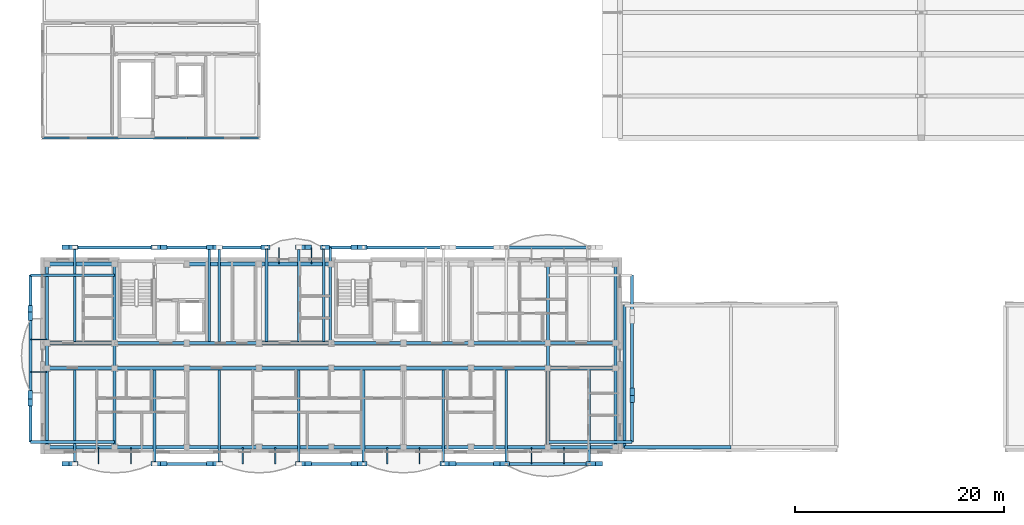
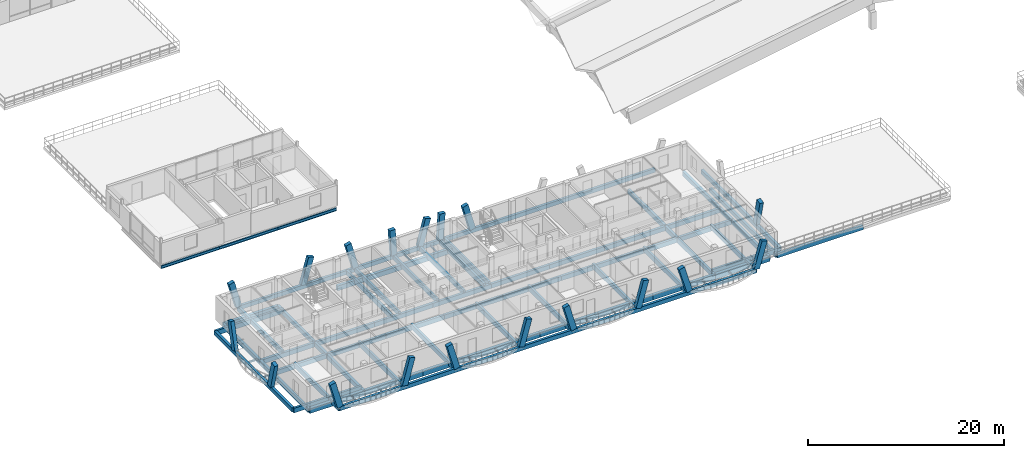
# One storey, part 13 of 109: 78 beams, 18 members.
"""IFC4 building model written with IfcOpenShell, lengths in metres."""

from ifc_helpers import new_model, si_unit, direction, frame, origin, origin_2d, place, context, subcontext, project, spatial, rectangle, i_section, extrude, material, material_profile, profile_set, type_object, element, save


model = new_model("IFC4")

# Units and contexts
model_context = context("Model", 3, precision=1e-05, world=origin(), true_north=direction((0.0, 1.0)))
body_context = subcontext(model_context, "Body", "Model", "MODEL_VIEW")
ifc_project = project(units=[si_unit("LENGTHUNIT", "METRE"), si_unit("AREAUNIT", "SQUARE_METRE"), si_unit("VOLUMEUNIT", "CUBIC_METRE"), si_unit("PLANEANGLEUNIT", "RADIAN"), si_unit("MASSUNIT", "GRAM", prefix="KILO")], contexts=[model_context])

# Site, building, storey
site_placement = place(None, origin())
site = spatial("IfcSite", under=ifc_project, at=site_placement, CompositionType="ELEMENT")
building_placement = place(site_placement, origin())
building = spatial("IfcBuilding", under=site, at=building_placement, Name="Zavelmont Quarter", CompositionType="ELEMENT")
storey_placement = place(building_placement, frame((0.0, 0.0, 8.0)))
storey = spatial("IfcBuildingStorey", under=building, at=storey_placement, Name="L02", CompositionType="ELEMENT", Elevation=8.0)

# Beams
ifc_material_1 = material(Name="Concrete C35/45", Category="concrete")
ifc_material_profile_1 = material_profile(ifc_material_1, rectangle(XDim=0.35009765625, YDim=0.60009765625, at=origin_2d()), Name="RC350X600")
ifc_profile_set_1 = profile_set([ifc_material_profile_1], Name="Concrete C35/45")
beam_type_1 = type_object("IfcBeamType", Name="BM01", PredefinedType="SPANDREL", material=ifc_profile_set_1)
beam_1_placement = place(storey_placement, frame((0.43994140625, 0.43994140625, -0.570068359375), z_axis=(1.0, 0.0, 0.0), x_axis=(0.0, 1.0, 0.0)))
element("IfcBeam", 1, at=beam_1_placement, inside=storey, type_object=beam_type_1, Name="L02 beam BM01 1/A to 2/A", PredefinedType="SPANDREL", context=body_context, shape_type="SweptSolid", body=[
    extrude(rectangle(XDim=0.35009765625, YDim=0.60009765625, at=origin_2d()), origin(), (0.0, 0.0, 1.0), 6.4599609375),
])
beam_2_placement = place(storey_placement, frame((6.89990234375, 0.43994140625, -0.570068359375), z_axis=(1.0, 0.0, 0.0), x_axis=(0.0, 1.0, 0.0)))
element("IfcBeam", 2, at=beam_2_placement, inside=storey, type_object=beam_type_1, Name="L02 beam BM01 2/A to 3/A", PredefinedType="SPANDREL", context=body_context, shape_type="SweptSolid", body=[
    extrude(rectangle(XDim=0.35009765625, YDim=0.60009765625, at=origin_2d()), origin(), (0.0, 0.0, 1.0), 6.900146484375),
])
beam_3_placement = place(storey_placement, frame((13.800048828125, 0.43994140625, -0.570068359375), z_axis=(1.0, 0.0, 0.0), x_axis=(0.0, 1.0, 0.0)))
element("IfcBeam", 3, at=beam_3_placement, inside=storey, type_object=beam_type_1, Name="L02 beam BM01 3/A to 4/A", PredefinedType="SPANDREL", context=body_context, shape_type="SweptSolid", body=[
    extrude(rectangle(XDim=0.35009765625, YDim=0.60009765625, at=origin_2d()), origin(), (0.0, 0.0, 1.0), 6.89990234375),
])
beam_4_placement = place(storey_placement, frame((20.699951171875, 0.43994140625, -0.570068359375), z_axis=(1.0, 0.0, 0.0), x_axis=(0.0, 1.0, 0.0)))
element("IfcBeam", 4, at=beam_4_placement, inside=storey, type_object=beam_type_1, Name="L02 beam BM01 4/A to 5/A", PredefinedType="SPANDREL", context=body_context, shape_type="SweptSolid", body=[
    extrude(rectangle(XDim=0.35009765625, YDim=0.60009765625, at=origin_2d()), origin(), (0.0, 0.0, 1.0), 6.900146484375),
])
beam_5_placement = place(storey_placement, frame((27.60009765625, 0.43994140625, -0.570068359375), z_axis=(1.0, 0.0, 0.0), x_axis=(0.0, 1.0, 0.0)))
element("IfcBeam", 5, at=beam_5_placement, inside=storey, type_object=beam_type_1, Name="L02 beam BM01 5/A to 6/A", PredefinedType="SPANDREL", context=body_context, shape_type="SweptSolid", body=[
    extrude(rectangle(XDim=0.35009765625, YDim=0.60009765625, at=origin_2d()), origin(), (0.0, 0.0, 1.0), 6.89990234375),
])
beam_6_placement = place(storey_placement, frame((34.5, 0.43994140625, -0.570068359375), z_axis=(1.0, 0.0, 0.0), x_axis=(0.0, 1.0, 0.0)))
element("IfcBeam", 6, at=beam_6_placement, inside=storey, type_object=beam_type_1, Name="L02 beam BM01 6/A to 7/A", PredefinedType="SPANDREL", context=body_context, shape_type="SweptSolid", body=[
    extrude(rectangle(XDim=0.35009765625, YDim=0.60009765625, at=origin_2d()), origin(), (0.0, 0.0, 1.0), 6.4599609375),
])
beam_7_placement = place(storey_placement, frame((40.9599609375, 0.43994140625, -0.570068359375), z_axis=(1.0, 0.0, 0.0), x_axis=(0.0, 1.0, 0.0)))
element("IfcBeam", 7, at=beam_7_placement, inside=storey, type_object=beam_type_1, Name="L02 beam BM01 7/A to 8/A", PredefinedType="SPANDREL", context=body_context, shape_type="SweptSolid", body=[
    extrude(rectangle(XDim=0.35009765625, YDim=0.60009765625, at=origin_2d()), origin(), (0.0, 0.0, 1.0), 7.340087890625),
])
for number, where, z_axis, x_axis, name in (
    (8, (48.300048828125, 0.43994140625, -0.570068359375), (1.0, 0.0, 0.0), (0.0, 1.0, 0.0), "L02 beam BM01 8/A to 9/A"),
    (9, (0.43994140625, 17.9599609375, -0.570068359375), (1.0, 0.0, 0.0), (0.0, 1.0, 0.0), "L02 beam BM01 1/D to 2/D"),
):
    element("IfcBeam", number, at=place(storey_placement, frame(where, z_axis=z_axis, x_axis=x_axis)), inside=storey, type_object=beam_type_1, Name=name, PredefinedType="SPANDREL", context=body_context, shape_type="SweptSolid", body=[
        extrude(rectangle(XDim=0.35009765625, YDim=0.60009765625, at=origin_2d()), origin(), (0.0, 0.0, 1.0), 6.4599609375),
    ])
beam_8_placement = place(storey_placement, frame((13.800048828125, 17.9599609375, -0.570068359375), z_axis=(1.0, 0.0, 0.0), x_axis=(0.0, 1.0, 0.0)))
element("IfcBeam", 10, at=beam_8_placement, inside=storey, type_object=beam_type_1, Name="L02 beam BM01 3/D to 4/D", PredefinedType="SPANDREL", context=body_context, shape_type="SweptSolid", body=[
    extrude(rectangle(XDim=0.35009765625, YDim=0.60009765625, at=origin_2d()), origin(), (0.0, 0.0, 1.0), 6.89990234375),
])
beam_9_placement = place(storey_placement, frame((20.699951171875, 17.9599609375, -0.570068359375), z_axis=(1.0, 0.0, 0.0), x_axis=(0.0, 1.0, 0.0)))
element("IfcBeam", 11, at=beam_9_placement, inside=storey, type_object=beam_type_1, Name="L02 beam BM01 4/D to 5/D", PredefinedType="SPANDREL", context=body_context, shape_type="SweptSolid", body=[
    extrude(rectangle(XDim=0.35009765625, YDim=0.60009765625, at=origin_2d()), origin(), (0.0, 0.0, 1.0), 6.900146484375),
])
ifc_material_profile_2 = material_profile(ifc_material_1, rectangle(XDim=0.300048828125, YDim=0.550048828125, at=origin_2d()), Name="RC300X550")
ifc_profile_set_2 = profile_set([ifc_material_profile_2], Name="Concrete C35/45")
beam_type_2 = type_object("IfcBeamType", Name="BM02", PredefinedType="SPANDREL", material=ifc_profile_set_2)
beam_10_placement = place(storey_placement, frame((0.43994140625, 8.0, -0.544921875), z_axis=(1.0, 0.0, 0.0), x_axis=(0.0, 1.0, 0.0)))
element("IfcBeam", 12, at=beam_10_placement, inside=storey, type_object=beam_type_2, Name="L02 beam BM02 1/B to 2/B", PredefinedType="SPANDREL", context=body_context, shape_type="SweptSolid", body=[
    extrude(rectangle(XDim=0.300048828125, YDim=0.550048828125, at=origin_2d()), origin(), (0.0, 0.0, 1.0), 6.4599609375),
])
beam_11_placement = place(storey_placement, frame((6.89990234375, 8.0, -0.544921875), z_axis=(1.0, 0.0, 0.0), x_axis=(0.0, 1.0, 0.0)))
element("IfcBeam", 13, at=beam_11_placement, inside=storey, type_object=beam_type_2, Name="L02 beam BM02 2/B to 3/B", PredefinedType="SPANDREL", context=body_context, shape_type="SweptSolid", body=[
    extrude(rectangle(XDim=0.300048828125, YDim=0.550048828125, at=origin_2d()), origin(), (0.0, 0.0, 1.0), 6.900146484375),
])
beam_12_placement = place(storey_placement, frame((13.800048828125, 8.0, -0.544921875), z_axis=(1.0, 0.0, 0.0), x_axis=(0.0, 1.0, 0.0)))
element("IfcBeam", 14, at=beam_12_placement, inside=storey, type_object=beam_type_2, Name="L02 beam BM02 3/B to 4/B", PredefinedType="SPANDREL", context=body_context, shape_type="SweptSolid", body=[
    extrude(rectangle(XDim=0.300048828125, YDim=0.550048828125, at=origin_2d()), origin(), (0.0, 0.0, 1.0), 6.89990234375),
])
beam_13_placement = place(storey_placement, frame((20.699951171875, 8.0, -0.544921875), z_axis=(1.0, 0.0, 0.0), x_axis=(0.0, 1.0, 0.0)))
element("IfcBeam", 15, at=beam_13_placement, inside=storey, type_object=beam_type_2, Name="L02 beam BM02 4/B to 5/B", PredefinedType="SPANDREL", context=body_context, shape_type="SweptSolid", body=[
    extrude(rectangle(XDim=0.300048828125, YDim=0.550048828125, at=origin_2d()), origin(), (0.0, 0.0, 1.0), 6.900146484375),
])
beam_14_placement = place(storey_placement, frame((27.60009765625, 8.0, -0.544921875), z_axis=(1.0, 0.0, 0.0), x_axis=(0.0, 1.0, 0.0)))
element("IfcBeam", 16, at=beam_14_placement, inside=storey, type_object=beam_type_2, Name="L02 beam BM02 5/B to 6/B", PredefinedType="SPANDREL", context=body_context, shape_type="SweptSolid", body=[
    extrude(rectangle(XDim=0.300048828125, YDim=0.550048828125, at=origin_2d()), origin(), (0.0, 0.0, 1.0), 6.89990234375),
])
beam_15_placement = place(storey_placement, frame((34.5, 8.0, -0.544921875), z_axis=(1.0, 0.0, 0.0), x_axis=(0.0, 1.0, 0.0)))
element("IfcBeam", 17, at=beam_15_placement, inside=storey, type_object=beam_type_2, Name="L02 beam BM02 6/B to 7/B", PredefinedType="SPANDREL", context=body_context, shape_type="SweptSolid", body=[
    extrude(rectangle(XDim=0.300048828125, YDim=0.550048828125, at=origin_2d()), origin(), (0.0, 0.0, 1.0), 6.4599609375),
])
beam_16_placement = place(storey_placement, frame((40.9599609375, 8.0, -0.544921875), z_axis=(1.0, 0.0, 0.0), x_axis=(0.0, 1.0, 0.0)))
element("IfcBeam", 18, at=beam_16_placement, inside=storey, type_object=beam_type_2, Name="L02 beam BM02 7/B to 8/B", PredefinedType="SPANDREL", context=body_context, shape_type="SweptSolid", body=[
    extrude(rectangle(XDim=0.300048828125, YDim=0.550048828125, at=origin_2d()), origin(), (0.0, 0.0, 1.0), 7.340087890625),
])
for number, where, z_axis, x_axis, name in (
    (19, (48.300048828125, 8.0, -0.544921875), (1.0, 0.0, 0.0), (0.0, 1.0, 0.0), "L02 beam BM02 8/B to 9/B"),
    (20, (0.43994140625, 10.39990234375, -0.544921875), (1.0, 0.0, 0.0), (0.0, 1.0, 0.0), "L02 beam BM02 1/C to 2/C"),
):
    element("IfcBeam", number, at=place(storey_placement, frame(where, z_axis=z_axis, x_axis=x_axis)), inside=storey, type_object=beam_type_2, Name=name, PredefinedType="SPANDREL", context=body_context, shape_type="SweptSolid", body=[
        extrude(rectangle(XDim=0.300048828125, YDim=0.550048828125, at=origin_2d()), origin(), (0.0, 0.0, 1.0), 6.4599609375),
    ])
beam_17_placement = place(storey_placement, frame((6.89990234375, 10.39990234375, -0.544921875), z_axis=(1.0, 0.0, 0.0), x_axis=(0.0, 1.0, 0.0)))
element("IfcBeam", 21, at=beam_17_placement, inside=storey, type_object=beam_type_2, Name="L02 beam BM02 2/C to 3/C", PredefinedType="SPANDREL", context=body_context, shape_type="SweptSolid", body=[
    extrude(rectangle(XDim=0.300048828125, YDim=0.550048828125, at=origin_2d()), origin(), (0.0, 0.0, 1.0), 6.900146484375),
])
beam_18_placement = place(storey_placement, frame((13.800048828125, 10.39990234375, -0.544921875), z_axis=(1.0, 0.0, 0.0), x_axis=(0.0, 1.0, 0.0)))
element("IfcBeam", 22, at=beam_18_placement, inside=storey, type_object=beam_type_2, Name="L02 beam BM02 3/C to 4/C", PredefinedType="SPANDREL", context=body_context, shape_type="SweptSolid", body=[
    extrude(rectangle(XDim=0.300048828125, YDim=0.550048828125, at=origin_2d()), origin(), (0.0, 0.0, 1.0), 6.89990234375),
])
beam_19_placement = place(storey_placement, frame((20.699951171875, 10.39990234375, -0.544921875), z_axis=(1.0, 0.0, 0.0), x_axis=(0.0, 1.0, 0.0)))
element("IfcBeam", 23, at=beam_19_placement, inside=storey, type_object=beam_type_2, Name="L02 beam BM02 4/C to 5/C", PredefinedType="SPANDREL", context=body_context, shape_type="SweptSolid", body=[
    extrude(rectangle(XDim=0.300048828125, YDim=0.550048828125, at=origin_2d()), origin(), (0.0, 0.0, 1.0), 6.900146484375),
])
beam_20_placement = place(storey_placement, frame((27.60009765625, 10.39990234375, -0.544921875), z_axis=(1.0, 0.0, 0.0), x_axis=(0.0, 1.0, 0.0)))
element("IfcBeam", 24, at=beam_20_placement, inside=storey, type_object=beam_type_2, Name="L02 beam BM02 5/C to 6/C", PredefinedType="SPANDREL", context=body_context, shape_type="SweptSolid", body=[
    extrude(rectangle(XDim=0.300048828125, YDim=0.550048828125, at=origin_2d()), origin(), (0.0, 0.0, 1.0), 6.89990234375),
])
beam_21_placement = place(storey_placement, frame((34.5, 10.39990234375, -0.544921875), z_axis=(1.0, 0.0, 0.0), x_axis=(0.0, 1.0, 0.0)))
element("IfcBeam", 25, at=beam_21_placement, inside=storey, type_object=beam_type_2, Name="L02 beam BM02 6/C to 7/C", PredefinedType="SPANDREL", context=body_context, shape_type="SweptSolid", body=[
    extrude(rectangle(XDim=0.300048828125, YDim=0.550048828125, at=origin_2d()), origin(), (0.0, 0.0, 1.0), 6.4599609375),
])
beam_22_placement = place(storey_placement, frame((40.9599609375, 10.39990234375, -0.544921875), z_axis=(1.0, 0.0, 0.0), x_axis=(0.0, 1.0, 0.0)))
element("IfcBeam", 26, at=beam_22_placement, inside=storey, type_object=beam_type_2, Name="L02 beam BM02 7/C to 8/C", PredefinedType="SPANDREL", context=body_context, shape_type="SweptSolid", body=[
    extrude(rectangle(XDim=0.300048828125, YDim=0.550048828125, at=origin_2d()), origin(), (0.0, 0.0, 1.0), 7.340087890625),
])
beam_23_placement = place(storey_placement, frame((48.300048828125, 10.39990234375, -0.544921875), z_axis=(1.0, 0.0, 0.0), x_axis=(0.0, 1.0, 0.0)))
element("IfcBeam", 27, at=beam_23_placement, inside=storey, type_object=beam_type_2, Name="L02 beam BM02 8/C to 9/C", PredefinedType="SPANDREL", context=body_context, shape_type="SweptSolid", body=[
    extrude(rectangle(XDim=0.300048828125, YDim=0.550048828125, at=origin_2d()), origin(), (0.0, 0.0, 1.0), 6.4599609375),
])
beam_24_placement = place(storey_placement, frame((0.43994140625, 0.43994140625, -0.544921875), z_axis=(0.0, 1.0, 0.0), x_axis=(-1.0, 0.0, 0.0)))
element("IfcBeam", 28, at=beam_24_placement, inside=storey, type_object=beam_type_2, Name="L02 beam BM02 1/A to 1/B", PredefinedType="SPANDREL", context=body_context, shape_type="SweptSolid", body=[
    extrude(rectangle(XDim=0.300048828125, YDim=0.550048828125, at=origin_2d()), origin(), (0.0, 0.0, 1.0), 7.56005859375),
])
beam_25_placement = place(storey_placement, frame((0.43994140625, 8.0, -0.544921875), z_axis=(0.0, 1.0, 0.0), x_axis=(-1.0, 0.0, 0.0)))
element("IfcBeam", 29, at=beam_25_placement, inside=storey, type_object=beam_type_2, Name="L02 beam BM02 1/B to 1/C", PredefinedType="SPANDREL", context=body_context, shape_type="SweptSolid", body=[
    extrude(rectangle(XDim=0.300048828125, YDim=0.550048828125, at=origin_2d()), origin(), (0.0, 0.0, 1.0), 2.39990234375),
])
for number, where, z_axis, x_axis, name in (
    (30, (0.43994140625, 10.39990234375, -0.544921875), (0.0, 1.0, 0.0), (-1.0, 0.0, 0.0), "L02 beam BM02 1/C to 1/D"),
    (31, (6.89990234375, 0.43994140625, -0.544921875), (0.0, 1.0, 0.0), (-1.0, 0.0, 0.0), "L02 beam BM02 2/A to 2/B"),
):
    element("IfcBeam", number, at=place(storey_placement, frame(where, z_axis=z_axis, x_axis=x_axis)), inside=storey, type_object=beam_type_2, Name=name, PredefinedType="SPANDREL", context=body_context, shape_type="SweptSolid", body=[
        extrude(rectangle(XDim=0.300048828125, YDim=0.550048828125, at=origin_2d()), origin(), (0.0, 0.0, 1.0), 7.56005859375),
    ])
beam_26_placement = place(storey_placement, frame((6.89990234375, 8.0, -0.544921875), z_axis=(0.0, 1.0, 0.0), x_axis=(-1.0, 0.0, 0.0)))
element("IfcBeam", 32, at=beam_26_placement, inside=storey, type_object=beam_type_2, Name="L02 beam BM02 2/B to 2/C", PredefinedType="SPANDREL", context=body_context, shape_type="SweptSolid", body=[
    extrude(rectangle(XDim=0.300048828125, YDim=0.550048828125, at=origin_2d()), origin(), (0.0, 0.0, 1.0), 2.39990234375),
])
for number, where, z_axis, x_axis, name in (
    (33, (6.89990234375, 10.39990234375, -0.544921875), (0.0, 1.0, 0.0), (-1.0, 0.0, 0.0), "L02 beam BM02 2/C to 2/D"),
    (34, (48.300048828125, 0.43994140625, -0.544921875), (0.0, 1.0, 0.0), (-1.0, 0.0, 0.0), "L02 beam BM02 8/A to 8/B"),
):
    element("IfcBeam", number, at=place(storey_placement, frame(where, z_axis=z_axis, x_axis=x_axis)), inside=storey, type_object=beam_type_2, Name=name, PredefinedType="SPANDREL", context=body_context, shape_type="SweptSolid", body=[
        extrude(rectangle(XDim=0.300048828125, YDim=0.550048828125, at=origin_2d()), origin(), (0.0, 0.0, 1.0), 7.56005859375),
    ])
beam_27_placement = place(storey_placement, frame((48.300048828125, 8.0, -0.544921875), z_axis=(0.0, 1.0, 0.0), x_axis=(-1.0, 0.0, 0.0)))
element("IfcBeam", 35, at=beam_27_placement, inside=storey, type_object=beam_type_2, Name="L02 beam BM02 8/B to 8/C", PredefinedType="SPANDREL", context=body_context, shape_type="SweptSolid", body=[
    extrude(rectangle(XDim=0.300048828125, YDim=0.550048828125, at=origin_2d()), origin(), (0.0, 0.0, 1.0), 2.39990234375),
])
for number, where, z_axis, x_axis, name in (
    (36, (48.300048828125, 10.39990234375, -0.544921875), (0.0, 1.0, 0.0), (-1.0, 0.0, 0.0), "L02 beam BM02 8/C to 8/D"),
    (37, (54.760009765625, 0.43994140625, -0.544921875), (0.0, 1.0, 0.0), (-1.0, 0.0, 0.0), "L02 beam BM02 9/A to 9/B"),
):
    element("IfcBeam", number, at=place(storey_placement, frame(where, z_axis=z_axis, x_axis=x_axis)), inside=storey, type_object=beam_type_2, Name=name, PredefinedType="SPANDREL", context=body_context, shape_type="SweptSolid", body=[
        extrude(rectangle(XDim=0.300048828125, YDim=0.550048828125, at=origin_2d()), origin(), (0.0, 0.0, 1.0), 7.56005859375),
    ])
beam_28_placement = place(storey_placement, frame((54.760009765625, 8.0, -0.544921875), z_axis=(0.0, 1.0, 0.0), x_axis=(-1.0, 0.0, 0.0)))
element("IfcBeam", 38, at=beam_28_placement, inside=storey, type_object=beam_type_2, Name="L02 beam BM02 9/B to 9/C", PredefinedType="SPANDREL", context=body_context, shape_type="SweptSolid", body=[
    extrude(rectangle(XDim=0.300048828125, YDim=0.550048828125, at=origin_2d()), origin(), (0.0, 0.0, 1.0), 2.39990234375),
])
beam_29_placement = place(storey_placement, frame((54.760009765625, 10.39990234375, -0.544921875), z_axis=(0.0, 1.0, 0.0), x_axis=(-1.0, 0.0, 0.0)))
element("IfcBeam", 39, at=beam_29_placement, inside=storey, type_object=beam_type_2, Name="L02 beam BM02 9/C to 9/D", PredefinedType="SPANDREL", context=body_context, shape_type="SweptSolid", body=[
    extrude(rectangle(XDim=0.300048828125, YDim=0.550048828125, at=origin_2d()), origin(), (0.0, 0.0, 1.0), 7.56005859375),
])
ifc_material_profile_3 = material_profile(ifc_material_1, rectangle(XDim=0.300048828125, YDim=0.5, at=origin_2d()), Name="RC300X500")
ifc_profile_set_3 = profile_set([ifc_material_profile_3], Name="Concrete C35/45")
beam_type_3 = type_object("IfcBeamType", Name="BM03", PredefinedType="BEAM", material=ifc_profile_set_3)
beam_30_placement = place(storey_placement, frame((55.639892578125, 0.43994140625, -0.5400390625), z_axis=(1.0, 0.0, 0.0), x_axis=(0.0, 1.0, 0.0)))
element("IfcBeam", 40, at=beam_30_placement, inside=storey, type_object=beam_type_3, Name="L02 beam BM03 9/A to 10/A", PredefinedType="BEAM", context=body_context, shape_type="SweptSolid", body=[
    extrude(rectangle(XDim=0.300048828125, YDim=0.5, at=origin_2d()), origin(), (0.0, 0.0, 1.0), 10.16015625),
])
beam_31_placement = place(storey_placement, frame((55.639892578125, 0.43994140625, -0.5400390625), z_axis=(0.0, 1.0, 0.0), x_axis=(-1.0, 0.0, 0.0)))
element("IfcBeam", 41, at=beam_31_placement, inside=storey, type_object=beam_type_3, Name="L02 beam BM03 9/A to 9/C", PredefinedType="BEAM", context=body_context, shape_type="SweptSolid", body=[
    extrude(rectangle(XDim=0.300048828125, YDim=0.5, at=origin_2d()), origin(), (0.0, 0.0, 1.0), 13.56005859375),
])
for number, where, z_axis, x_axis, name in (
    (42, (3.0859375, -1.14990234375, -0.25), (1.0, 0.0, 0.0), (0.0, 1.0, 0.0), "L02 beam BM03 1/A to 9/A"),
    (43, (3.0859375, 19.550048828125, -0.25), (1.0, 0.0, 0.0), (0.0, 1.0, 0.0), "L02 beam BM03 1/D to 9/D"),
):
    element("IfcBeam", number, at=place(storey_placement, frame(where, z_axis=z_axis, x_axis=x_axis)), inside=storey, type_object=beam_type_3, Name=name, PredefinedType="BEAM", context=body_context, shape_type="SweptSolid", body=[
        extrude(rectangle(XDim=0.300048828125, YDim=0.5, at=origin_2d()), origin(), (0.0, 0.0, 1.0), 49.172119140625),
    ])
for number, where, z_axis, x_axis, name in (
    (44, (-1.14990234375, 0.949951171875, -0.25), (0.0, 1.0, 0.0), (-1.0, 0.0, 0.0), "L02 beam BM03 1/A to 1/D"),
    (45, (56.35009765625, 0.949951171875, -0.25), (0.0, 1.0, 0.0), (-1.0, 0.0, 0.0), "L02 beam BM03 9/A to 9/D"),
):
    element("IfcBeam", number, at=place(storey_placement, frame(where, z_axis=z_axis, x_axis=x_axis)), inside=storey, type_object=beam_type_3, Name=name, PredefinedType="BEAM", context=body_context, shape_type="SweptSolid", body=[
        extrude(rectangle(XDim=0.300048828125, YDim=0.5, at=origin_2d()), origin(), (0.0, 0.0, 1.0), 15.949951171875),
    ])
ifc_material_2 = material(Name="Steel S355", Category="steel")
ifc_material_profile_4 = material_profile(ifc_material_2, i_section(OverallWidth=0.169921875, OverallDepth=0.360107421875, WebThickness=0.008056640625, FlangeThickness=0.0126953125, at=origin_2d()), Name="IPE 360")
ifc_profile_set_4 = profile_set([ifc_material_profile_4], Name="Steel S355")
beam_type_4 = type_object("IfcBeamType", Name="BM13", PredefinedType="BEAM", material=ifc_profile_set_4)
beam_32_placement = place(storey_placement, frame((0.0, 30.0, -0.449951171875), z_axis=(1.0, 0.0, 0.0), x_axis=(0.0, 1.0, 0.0)))
element("IfcBeam", 46, at=beam_32_placement, inside=storey, type_object=beam_type_4, Name="L02 beam BM13 1/F to 2/F", PredefinedType="BEAM", context=body_context, shape_type="SweptSolid", body=[
    extrude(i_section(OverallWidth=0.169921875, OverallDepth=0.360107421875, WebThickness=0.008056640625, FlangeThickness=0.0126953125, at=origin_2d()), origin(), (0.0, 0.0, 1.0), 6.89990234375),
])
beam_33_placement = place(storey_placement, frame((6.89990234375, 30.0, -0.449951171875), z_axis=(1.0, 0.0, 0.0), x_axis=(0.0, 1.0, 0.0)))
element("IfcBeam", 47, at=beam_33_placement, inside=storey, type_object=beam_type_4, Name="L02 beam BM13 2/F to 3/F", PredefinedType="BEAM", context=body_context, shape_type="SweptSolid", body=[
    extrude(i_section(OverallWidth=0.169921875, OverallDepth=0.360107421875, WebThickness=0.008056640625, FlangeThickness=0.0126953125, at=origin_2d()), origin(), (0.0, 0.0, 1.0), 6.900146484375),
])
beam_34_placement = place(storey_placement, frame((13.800048828125, 30.0, -0.449951171875), z_axis=(1.0, 0.0, 0.0), x_axis=(0.0, 1.0, 0.0)))
element("IfcBeam", 48, at=beam_34_placement, inside=storey, type_object=beam_type_4, Name="L02 beam BM13 3/F to 4/F", PredefinedType="BEAM", context=body_context, shape_type="SweptSolid", body=[
    extrude(i_section(OverallWidth=0.169921875, OverallDepth=0.360107421875, WebThickness=0.008056640625, FlangeThickness=0.0126953125, at=origin_2d()), origin(), (0.0, 0.0, 1.0), 6.89990234375),
])
ifc_material_profile_5 = material_profile(ifc_material_2, i_section(OverallWidth=0.110107421875, OverallDepth=0.219970703125, WebThickness=0.005859375, FlangeThickness=0.00927734375, at=origin_2d()), Name="IPE 220")
ifc_profile_set_5 = profile_set([ifc_material_profile_5], Name="Steel S355")
beam_type_5 = type_object("IfcBeamType", Name="BM15", PredefinedType="JOIST", material=ifc_profile_set_5)
for number, where, z_axis, x_axis, name in (
    (49, (5.35009765625, 0.43994140625, -0.382080078125), (0.0, -1.0, 0.0), (1.0, 0.0, 0.0), "L02 beam BM15 2/A to 2/A"),
    (50, (8.449951171875, 0.43994140625, -0.382080078125), (0.0, -1.0, 0.0), (1.0, 0.0, 0.0), "L02 beam BM15 2/A to 2/A"),
    (51, (19.14990234375, 0.43994140625, -0.382080078125), (0.0, -1.0, 0.0), (1.0, 0.0, 0.0), "L02 beam BM15 4/A to 4/A"),
    (52, (22.25, 0.43994140625, -0.382080078125), (0.0, -1.0, 0.0), (1.0, 0.0, 0.0), "L02 beam BM15 4/A to 4/A"),
    (53, (32.949951171875, 0.43994140625, -0.382080078125), (0.0, -1.0, 0.0), (1.0, 0.0, 0.0), "L02 beam BM15 6/A to 6/A"),
    (54, (36.050048828125, 0.43994140625, -0.382080078125), (0.0, -1.0, 0.0), (1.0, 0.0, 0.0), "L02 beam BM15 6/A to 6/A"),
    (55, (46.75, 0.43994140625, -0.382080078125), (0.0, -1.0, 0.0), (1.0, 0.0, 0.0), "L02 beam BM15 8/A to 8/A"),
    (56, (49.85009765625, 0.43994140625, -0.382080078125), (0.0, -1.0, 0.0), (1.0, 0.0, 0.0), "L02 beam BM15 8/A to 8/A"),
    (57, (0.43994140625, 7.64990234375, -0.382080078125), (-1.0, 0.0, 0.0), (0.0, -1.0, 0.0), "L02 beam BM15 1/B to 1/B"),
    (58, (0.43994140625, 10.75, -0.382080078125), (-1.0, 0.0, 0.0), (0.0, -1.0, 0.0), "L02 beam BM15 1/C to 1/C"),
):
    element("IfcBeam", number, at=place(storey_placement, frame(where, z_axis=z_axis, x_axis=x_axis)), inside=storey, type_object=beam_type_5, Name=name, PredefinedType="JOIST", context=body_context, shape_type="SweptSolid", body=[
        extrude(i_section(OverallWidth=0.110107421875, OverallDepth=0.219970703125, WebThickness=0.005859375, FlangeThickness=0.00927734375, at=origin_2d()), origin(), (0.0, 0.0, 1.0), 1.58984375),
    ])
for number, where, z_axis, x_axis, name in (
    (59, (22.60009765625, 17.9599609375, -0.382080078125), (0.0, 1.0, 0.0), (-1.0, 0.0, 0.0), "L02 beam BM15 4/D to 4/D"),
    (60, (25.699951171875, 17.9599609375, -0.382080078125), (0.0, 1.0, 0.0), (-1.0, 0.0, 0.0), "L02 beam BM15 5/D to 5/D"),
):
    element("IfcBeam", number, at=place(storey_placement, frame(where, z_axis=z_axis, x_axis=x_axis)), inside=storey, type_object=beam_type_5, Name=name, PredefinedType="JOIST", context=body_context, shape_type="SweptSolid", body=[
        extrude(i_section(OverallWidth=0.110107421875, OverallDepth=0.219970703125, WebThickness=0.005859375, FlangeThickness=0.00927734375, at=origin_2d()), origin(), (0.0, 0.0, 1.0), 1.590087890625),
    ])
ifc_material_3 = material(Name="Concrete C40/50", Category="concrete")
ifc_material_profile_6 = material_profile(ifc_material_3, rectangle(XDim=0.25, YDim=0.60009765625, at=origin_2d()), Name="RC250X600")
ifc_profile_set_6 = profile_set([ifc_material_profile_6], Name="Concrete C40/50")
beam_type_6 = type_object("IfcBeamType", Name="BM18", PredefinedType="BEAM", material=ifc_profile_set_6)
for number, where, z_axis, x_axis, name in (
    (61, (3.085693359375, 8.0, -0.300048828125), (0.0, -1.0, 0.0), (1.0, 0.0, 0.0), "L02 beam BM18 1/B to 1/A"),
    (62, (10.714111328125, 8.0, -0.300048828125), (0.0, -1.0, 0.0), (1.0, 0.0, 0.0), "L02 beam BM18 3/B to 3/A"),
    (63, (16.8857421875, 8.0, -0.300048828125), (0.0, -1.0, 0.0), (1.0, 0.0, 0.0), "L02 beam BM18 3/B to 3/A"),
    (64, (24.51416015625, 8.0, -0.300048828125), (0.0, -1.0, 0.0), (1.0, 0.0, 0.0), "L02 beam BM18 5/B to 5/A"),
    (65, (30.685791015625, 8.0, -0.300048828125), (0.0, -1.0, 0.0), (1.0, 0.0, 0.0), "L02 beam BM18 5/B to 5/A"),
    (66, (38.314208984375, 8.0, -0.300048828125), (0.0, -1.0, 0.0), (1.0, 0.0, 0.0), "L02 beam BM18 7/B to 7/A"),
    (67, (44.341552734375, 8.0, -0.300048828125), (0.0, -1.0, 0.0), (1.0, 0.0, 0.0), "L02 beam BM18 7/B to 7/A"),
    (68, (52.258544921875, 8.0, -0.300048828125), (0.0, -1.0, 0.0), (1.0, 0.0, 0.0), "L02 beam BM18 9/B to 9/A"),
):
    element("IfcBeam", number, at=place(storey_placement, frame(where, z_axis=z_axis, x_axis=x_axis)), inside=storey, type_object=beam_type_6, Name=name, PredefinedType="BEAM", context=body_context, shape_type="SweptSolid", body=[
        extrude(rectangle(XDim=0.25, YDim=0.60009765625, at=origin_2d()), origin(), (0.0, 0.0, 1.0), 9.14990234375),
    ])
for number, where, z_axis, x_axis, name in (
    (69, (3.085693359375, 10.39990234375, -0.300048828125), (0.0, 1.0, 0.0), (-1.0, 0.0, 0.0), "L02 beam BM18 1/C to 1/D"),
    (70, (15.925048828125, 10.39990234375, -0.300048828125), (0.0, 1.0, 0.0), (-1.0, 0.0, 0.0), "L02 beam BM18 3/C to 3/D"),
    (71, (16.8857421875, 10.39990234375, -0.300048828125), (0.0, 1.0, 0.0), (-1.0, 0.0, 0.0), "L02 beam BM18 3/C to 3/D"),
    (72, (24.51416015625, 10.39990234375, -0.300048828125), (0.0, 1.0, 0.0), (-1.0, 0.0, 0.0), "L02 beam BM18 5/C to 5/D"),
    (73, (27.5, 10.39990234375, -0.300048828125), (0.0, 1.0, 0.0), (-1.0, 0.0, 0.0), "L02 beam BM18 5/C to 5/D"),
    (74, (21.4111328125, 10.39990234375, -0.300048828125), (0.0, 1.0, 0.0), (-1.0, 0.0, 0.0), "L02 beam BM18 4/C to 4/D"),
    (75, (26.888916015625, 10.39990234375, -0.300048828125), (0.0, 1.0, 0.0), (-1.0, 0.0, 0.0), "L02 beam BM18 5/C to 5/D"),
):
    element("IfcBeam", number, at=place(storey_placement, frame(where, z_axis=z_axis, x_axis=x_axis)), inside=storey, type_object=beam_type_6, Name=name, PredefinedType="BEAM", context=body_context, shape_type="SweptSolid", body=[
        extrude(rectangle(XDim=0.25, YDim=0.60009765625, at=origin_2d()), origin(), (0.0, 0.0, 1.0), 9.150146484375),
    ])
for number, where, z_axis, x_axis, name in (
    (76, (6.89990234375, 0.949951171875, -0.300048828125), (-1.0, 0.0, 0.0), (0.0, -1.0, 0.0), "L02 beam BM18 2/A to 1/A"),
    (77, (6.89990234375, 16.89990234375, -0.300048828125), (-1.0, 0.0, 0.0), (0.0, -1.0, 0.0), "L02 beam BM18 2/D to 1/D"),
):
    element("IfcBeam", number, at=place(storey_placement, frame(where, z_axis=z_axis, x_axis=x_axis)), inside=storey, type_object=beam_type_6, Name=name, PredefinedType="BEAM", context=body_context, shape_type="SweptSolid", body=[
        extrude(rectangle(XDim=0.25, YDim=0.60009765625, at=origin_2d()), origin(), (0.0, 0.0, 1.0), 8.0498046875),
    ])
beam_35_placement = place(storey_placement, frame((48.300048828125, 0.949951171875, -0.300048828125), z_axis=(1.0, 0.0, 0.0), x_axis=(0.0, 1.0, 0.0)))
element("IfcBeam", 78, at=beam_35_placement, inside=storey, type_object=beam_type_6, Name="L02 beam BM18 8/A to 9/A", PredefinedType="BEAM", context=body_context, shape_type="SweptSolid", body=[
    extrude(rectangle(XDim=0.25, YDim=0.60009765625, at=origin_2d()), origin(), (0.0, 0.0, 1.0), 8.050048828125),
])

# Members
ifc_material_4 = material(Name="White architectural precast concrete C40/50", Category="concrete")
ifc_material_profile_7 = material_profile(ifc_material_4, rectangle(XDim=0.43994140625, YDim=0.659912109375, at=origin_2d()), Name="PCR320X480")
ifc_profile_set_7 = profile_set([ifc_material_profile_7], Name="White architectural precast concrete C40/50")
member_type = type_object("IfcMemberType", Name="VR01M", PredefinedType="CHORD", material=ifc_profile_set_7)
for number, where, z_axis, x_axis, name in (
    (79, (3.085693359375, -1.14990234375, 0.0), (-0.265947852247, 0.0, 0.963987416871), (0.0, -1.0, 0.0), "L02 member VR01M 1/A to 1/A"),
    (80, (10.714111328125, -1.14990234375, 0.0), (0.266016195879, 0.0, 0.96396855941), (0.0, 1.0, 0.0), "L02 member VR01M 3/A to 3/A"),
    (81, (16.8857421875, -1.14990234375, 0.0), (-0.265947852247, 0.0, 0.963987416871), (0.0, -1.0, 0.0), "L02 member VR01M 3/A to 3/A"),
    (82, (24.51416015625, -1.14990234375, 0.0), (0.266016195879, 0.0, 0.96396855941), (0.0, 1.0, 0.0), "L02 member VR01M 5/A to 5/A"),
    (83, (30.685791015625, -1.14990234375, 0.0), (-0.265947852247, 0.0, 0.963987416871), (0.0, -1.0, 0.0), "L02 member VR01M 5/A to 5/A"),
    (84, (38.314208984375, -1.14990234375, 0.0), (0.265947852247, 0.0, 0.963987416871), (0.0, 1.0, 0.0), "L02 member VR01M 7/A to 7/A"),
):
    element("IfcMember", number, at=place(storey_placement, frame(where, z_axis=z_axis, x_axis=x_axis)), inside=storey, type_object=member_type, Name=name, PredefinedType="CHORD", context=body_context, shape_type="SweptSolid", body=[
        extrude(rectangle(XDim=0.43994140625, YDim=0.659912109375, at=origin_2d()), origin(), (0.0, 0.0, 1.0), 3.319580078125),
    ])
for number, where, z_axis, x_axis, name in (
    (85, (44.341552734375, -1.14990234375, 0.0), (-0.280143430311, 0.0, 0.959958154533), (0.0, -1.0, 0.0), "L02 member VR01M 7/A to 7/A"),
    (86, (52.258544921875, -1.14990234375, 0.0), (0.280143430311, 0.0, 0.959958154533), (0.0, 1.0, 0.0), "L02 member VR01M 9/A to 9/A"),
):
    element("IfcMember", number, at=place(storey_placement, frame(where, z_axis=z_axis, x_axis=x_axis)), inside=storey, type_object=member_type, Name=name, PredefinedType="CHORD", context=body_context, shape_type="SweptSolid", body=[
        extrude(rectangle(XDim=0.43994140625, YDim=0.659912109375, at=origin_2d()), origin(), (0.0, 0.0, 1.0), 3.33349609375),
    ])
for number, where, z_axis, x_axis, name in (
    (87, (3.085693359375, 19.550048828125, 0.0), (-0.265947852247, 0.0, 0.963987416871), (0.0, -1.0, 0.0), "L02 member VR01M 1/D to 1/D"),
    (88, (10.714111328125, 19.550048828125, 0.0), (0.266016195879, 0.0, 0.96396855941), (0.0, 1.0, 0.0), "L02 member VR01M 3/D to 3/D"),
    (89, (16.8857421875, 19.550048828125, 0.0), (-0.265947852247, 0.0, 0.963987416871), (0.0, -1.0, 0.0), "L02 member VR01M 3/D to 3/D"),
    (90, (24.51416015625, 19.550048828125, 0.0), (0.266016195879, 0.0, 0.96396855941), (0.0, 1.0, 0.0), "L02 member VR01M 5/D to 5/D"),
    (91, (30.685791015625, 19.550048828125, 0.0), (-0.265947852247, 0.0, 0.963987416871), (0.0, -1.0, 0.0), "L02 member VR01M 5/D to 5/D"),
):
    element("IfcMember", number, at=place(storey_placement, frame(where, z_axis=z_axis, x_axis=x_axis)), inside=storey, type_object=member_type, Name=name, PredefinedType="CHORD", context=body_context, shape_type="SweptSolid", body=[
        extrude(rectangle(XDim=0.43994140625, YDim=0.659912109375, at=origin_2d()), origin(), (0.0, 0.0, 1.0), 3.319580078125),
    ])
for number, where, z_axis, x_axis, name in (
    (92, (21.4111328125, 19.550048828125, 0.0), (-0.065852020368, 0.0, 0.997829399954), (0.0, -1.0, 0.0), "L02 member VR01M 4/D to 4/D"),
    (93, (26.888916015625, 19.550048828125, 0.0), (0.065852020368, 0.0, 0.997829399954), (0.0, 1.0, 0.0), "L02 member VR01M 5/D to 5/D"),
):
    element("IfcMember", number, at=place(storey_placement, frame(where, z_axis=z_axis, x_axis=x_axis)), inside=storey, type_object=member_type, Name=name, PredefinedType="CHORD", context=body_context, shape_type="SweptSolid", body=[
        extrude(rectangle(XDim=0.43994140625, YDim=0.659912109375, at=origin_2d()), origin(), (0.0, 0.0, 1.0), 3.20703125),
    ])
member_1_placement = place(storey_placement, frame((-1.14990234375, 5.543701171875, 0.0), z_axis=(0.0, -0.250123763796, 0.96821387244), x_axis=(1.0, 0.0, 0.0)))
element("IfcMember", 94, at=member_1_placement, inside=storey, type_object=member_type, Name="L02 member VR01M 1/B to 1/B", PredefinedType="CHORD", context=body_context, shape_type="SweptSolid", body=[
    extrude(rectangle(XDim=0.43994140625, YDim=0.659912109375, at=origin_2d()), origin(), (0.0, 0.0, 1.0), 3.304931640625),
])
member_2_placement = place(storey_placement, frame((-1.14990234375, 12.856201171875, 0.0), z_axis=(0.0, 0.250193010414, 0.968195980956), x_axis=(-1.0, 0.0, 0.0)))
element("IfcMember", 95, at=member_2_placement, inside=storey, type_object=member_type, Name="L02 member VR01M 1/C to 1/C", PredefinedType="CHORD", context=body_context, shape_type="SweptSolid", body=[
    extrude(rectangle(XDim=0.43994140625, YDim=0.659912109375, at=origin_2d()), origin(), (0.0, 0.0, 1.0), 3.30517578125),
])
member_3_placement = place(storey_placement, frame((56.35009765625, 5.7880859375, 0.0), z_axis=(0.0, -0.225022379858, 0.974353595243), x_axis=(1.0, 0.0, 0.0)))
element("IfcMember", 96, at=member_3_placement, inside=storey, type_object=member_type, Name="L02 member VR01M 9/B to 9/B", PredefinedType="CHORD", context=body_context, shape_type="SweptSolid", body=[
    extrude(rectangle(XDim=0.43994140625, YDim=0.659912109375, at=origin_2d()), origin(), (0.0, 0.0, 1.0), 3.2841796875),
])

save(model, "model.ifc")
